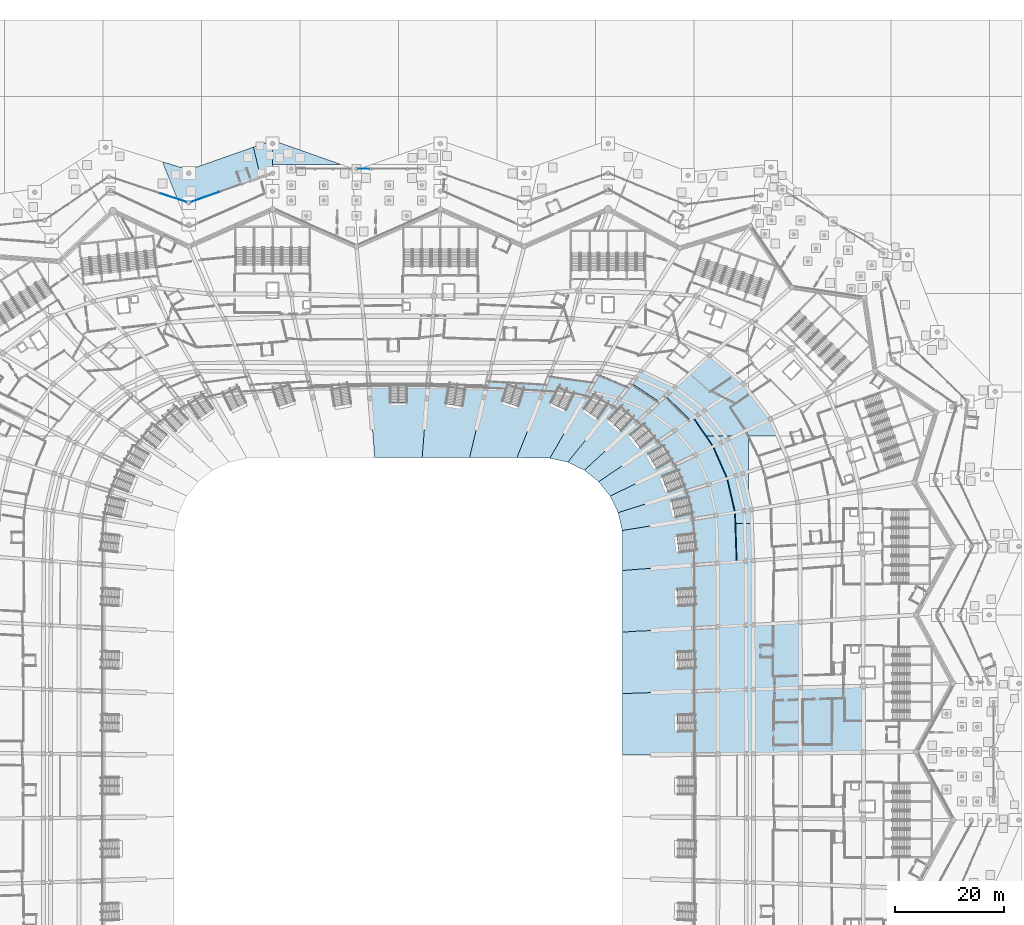
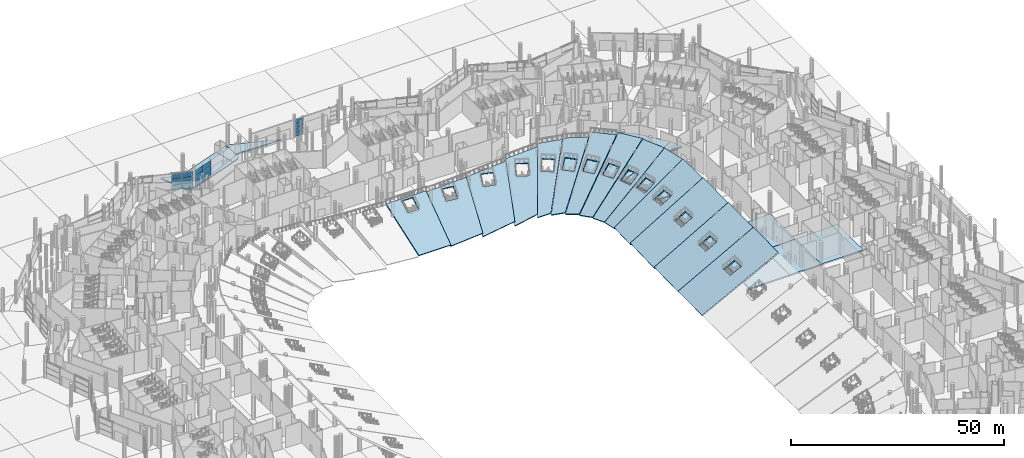
# One storey, part 92 of 255: 26 slabs, 16 plates, 3 elements without a shape of their own.
"""IFC4 building model written with IfcOpenShell, lengths in metres."""

from ifc_helpers import new_model, si_unit, direction, frame, origin, origin_2d, place, context, subcontext, project, spatial, polyline, rectangle, outline, extrude, material, layer, layer_set, type_object, element, aggregate, save


model = new_model("IFC4")

# Units and contexts
model_context = context("Model", 3, precision=1e-05, world=origin(), true_north=direction((0.0, 1.0)))
body_context = subcontext(model_context, "Body", "Model", "MODEL_VIEW")
ifc_project = project(units=[si_unit("LENGTHUNIT", "METRE"), si_unit("AREAUNIT", "SQUARE_METRE"), si_unit("VOLUMEUNIT", "CUBIC_METRE"), si_unit("PLANEANGLEUNIT", "RADIAN"), si_unit("MASSUNIT", "GRAM", prefix="KILO")], contexts=[model_context])

# Site, building, storey
site_placement = place(None, origin())
site = spatial("IfcSite", under=ifc_project, at=site_placement, CompositionType="ELEMENT")
building_placement = place(site_placement, origin())
building = spatial("IfcBuilding", under=site, at=building_placement, Name="Meseta Stadium", CompositionType="ELEMENT")
storey_placement = place(building_placement, origin())
storey = spatial("IfcBuildingStorey", under=building, at=storey_placement, Name="L00", CompositionType="ELEMENT", Elevation=0.0)

# Slabs
ifc_material_1 = material(Name="Concrete C40/50", Category="concrete")
ifc_layer_1 = layer(ifc_material_1, 0.39990234375)
ifc_layer_set_1 = layer_set([ifc_layer_1], Name="Floor slab 400")
slab_type_1 = type_object("IfcSlabType", Name="Floor slab 400", PredefinedType="FLOOR", material=ifc_layer_set_1)
slab_1_placement = place(storey_placement, frame((0.0, 0.0, -0.39990234375)))
element("IfcSlab", 1, at=slab_1_placement, inside=storey, type_object=slab_type_1, Name="Floor slab L00 sector 00 panel 03", PredefinedType="FLOOR", context=body_context, shape_type="SweptSolid", body=[
    extrude(outline(polyline([(64.8642578125, 29.42333984375), (53.98046875, 28.82666015625), (53.992919921875, 17.302490234375), (64.88720703125, 17.660888671875), (64.8642578125, 29.42333984375)])), origin(), (0.0, 0.0, 1.0), 0.39990234375),
])
slab_2_placement = place(storey_placement, frame((0.0, 0.0, -0.39990234375)))
element("IfcSlab", 2, at=slab_2_placement, inside=storey, type_object=slab_type_1, Name="Floor slab L00 sector 00 panel 05", PredefinedType="FLOOR", context=body_context, shape_type="SweptSolid", body=[
    extrude(outline(polyline([(53.992919921875, 17.302490234375), (53.999267578125, 5.767578125), (64.898681640625, 5.886962890625), (64.88720703125, 17.660888671875), (53.992919921875, 17.302490234375)])), origin(), (0.0, 0.0, 1.0), 0.39990234375),
])
slab_3_placement = place(storey_placement, frame((0.0, 0.0, -0.39990234375)))
element("IfcSlab", 3, at=slab_3_placement, inside=storey, type_object=slab_type_1, Name="Floor slab L00 sector 00 panel 10", PredefinedType="FLOOR", context=body_context, shape_type="SweptSolid", body=[
    extrude(outline(polyline([(64.88720703125, 17.660888671875), (73.482421875, 17.943603515625), (73.451416015625, 29.89404296875), (64.8642578125, 29.42333984375), (64.88720703125, 17.660888671875)])), origin(), (0.0, 0.0, 1.0), 0.39990234375),
])
slab_4_placement = place(storey_placement, frame((0.0, 0.0, -0.39990234375)))
element("IfcSlab", 4, at=slab_4_placement, inside=storey, type_object=slab_type_1, Name="Floor slab L00 sector 00 panel 12", PredefinedType="FLOOR", context=body_context, shape_type="SweptSolid", body=[
    extrude(outline(polyline([(73.482421875, 17.943603515625), (64.88720703125, 17.660888671875), (64.898681640625, 5.886962890625), (73.498046875, 5.981201171875), (73.482421875, 17.943603515625)])), origin(), (0.0, 0.0, 1.0), 0.39990234375),
])
slab_5_placement = place(storey_placement, frame((0.0, 0.0, -0.39990234375)))
element("IfcSlab", 5, at=slab_5_placement, inside=storey, type_object=slab_type_1, Name="Floor slab L00 sector 00 panel 18", PredefinedType="FLOOR", context=body_context, shape_type="SweptSolid", body=[
    extrude(outline(polyline([(84.9970703125, 6.107421875), (84.978515625, 18.24365234375), (73.482421875, 17.943603515625), (73.498046875, 5.981201171875), (84.9970703125, 6.107421875)])), origin(), (0.0, 0.0, 1.0), 0.39990234375),
])
slab_6_placement = place(storey_placement, frame((0.0, 0.0, -0.39990234375)))
element("IfcSlab", 6, at=slab_6_placement, inside=storey, type_object=slab_type_1, Name="Floor slab L00 sector 07 panel 01", PredefinedType="FLOOR", context=body_context, shape_type="SweptSolid", body=[
    extrude(outline(polyline([(50.41650390625, 58.61474609375), (54.3642578125, 60.513427734375), (51.41650390625, 64.0), (58.032958984375, 64.0), (54.819580078125, 67.901611328125), (55.940185546875, 68.658203125), (50.571533203125, 72.888916015625), (44.3994140625, 75.802001953125), (39.127685546875, 69.27001953125), (39.898193359375, 68.869384765625), (40.663818359375, 68.439208984375), (41.414306640625, 67.984619140625), (42.1494140625, 67.505859375), (42.867919921875, 67.00390625), (43.5693359375, 66.478759765625), (44.253173828125, 65.931396484375), (44.918212890625, 65.3623046875), (45.564453125, 64.77197265625), (46.190673828125, 64.1611328125), (46.79638671875, 63.5302734375), (47.38134765625, 62.880126953125), (47.944580078125, 62.211669921875), (48.0, 62.14111328125), (48.485595703125, 61.52490234375), (49.003662109375, 60.8212890625), (49.49853515625, 60.101318359375), (49.969482421875, 59.365478515625), (50.41650390625, 58.61474609375)])), origin(), (0.0, 0.0, 1.0), 0.39990234375),
])
slab_7_placement = place(storey_placement, frame((0.0, 0.0, -0.39990234375)))
element("IfcSlab", 7, at=slab_7_placement, inside=storey, type_object=slab_type_1, Name="Floor slab L00 sector 07 panel 04", PredefinedType="FLOOR", context=body_context, shape_type="SweptSolid", body=[
    extrude(outline(polyline([(51.2353515625, 57.072021484375), (51.6064453125, 56.281494140625), (51.951904296875, 55.479248046875), (52.270751953125, 54.666259765625), (52.562744140625, 53.843505859375), (52.827880859375, 53.011474609375), (53.06591796875, 52.17138671875), (53.2763671875, 51.32373046875), (53.458984375, 50.469970703125), (53.61376953125, 49.610595703125), (53.740234375, 48.74658203125), (53.824951171875, 48.0), (64.58935546875, 48.0), (64.501708984375, 50.479736328125), (64.0, 52.640380859375), (64.0, 64.0), (69.297119140625, 64.0), (67.972412109375, 67.057861328125), (61.6142578125, 64.0), (51.41650390625, 64.0), (54.3642578125, 60.513427734375), (50.41650390625, 58.61474609375), (50.83837890625, 57.85009765625), (51.2353515625, 57.072021484375)])), origin(), (0.0, 0.0, 1.0), 0.39990234375),
])
slab_8_placement = place(storey_placement, frame((0.0, 0.0, -0.39990234375)))
element("IfcSlab", 8, at=slab_8_placement, inside=storey, type_object=slab_type_1, Name="Floor slab L00 sector 07 panel 05", PredefinedType="FLOOR", context=body_context, shape_type="SweptSolid", body=[
    extrude(outline(polyline([(54.819580078125, 67.901611328125), (58.032958984375, 64.0), (61.614013671875, 64.0), (67.972412109375, 67.057861328125), (63.068115234375, 73.469970703125), (56.9150390625, 78.69580078125), (50.571533203125, 72.888916015625), (55.940185546875, 68.658203125), (54.819580078125, 67.901611328125)])), origin(), (0.0, 0.0, 1.0), 0.39990234375),
])
slab_9_placement = place(storey_placement, frame((0.0, 0.0, -0.39990234375)))
element("IfcSlab", 9, at=slab_9_placement, inside=storey, type_object=slab_type_1, Name="Floor slab L00 sector 07 panel 06", PredefinedType="FLOOR", context=body_context, shape_type="SweptSolid", body=[
    extrude(outline(polyline([(53.824951171875, 48.0), (53.838623046875, 47.87890625), (53.90869140625, 47.00830078125), (53.9501953125, 46.135986328125), (53.9619140625, 40.369873046875), (53.98046875, 28.8466796875), (64.8642578125, 29.443359375), (64.829833984375, 41.2041015625), (64.58935546875, 48.0), (53.824951171875, 48.0)])), origin(), (0.0, 0.0, 1.0), 0.39990234375),
])
ifc_material_2 = material(Name="Concrete C40/50", Category="concrete")
ifc_layer_2 = layer(ifc_material_2, 0.300048828125)
ifc_layer_set_2 = layer_set([ifc_layer_2], Name="Gate court paving 300")
slab_type_2 = type_object("IfcSlabType", Name="Gate court paving 300", PredefinedType="FLOOR", material=ifc_layer_set_2)
slab_10_placement = place(storey_placement, frame((0.0, 0.0, -0.300048828125)))
element("IfcSlab", 10, at=slab_10_placement, inside=storey, type_object=slab_type_2, Name="Gate 3 court paving", PredefinedType="FLOOR", context=body_context, shape_type="SweptSolid", body=[
    extrude(outline(polyline([(-7.666748046875, 112.60009765625), (-23.0, 118.0), (-23.0, 113.60009765625), (-10.506103515625, 113.60009765625), (-7.666748046875, 112.60009765625)])), origin(), (0.0, 0.0, 1.0), 0.300048828125),
])
ifc_material_3 = material(Name="Concrete C40/50", Category="concrete")
ifc_layer_3 = layer(ifc_material_3, 0.300048828125)
ifc_layer_set_3 = layer_set([ifc_layer_3], Name="Passage paving slab 300")
slab_type_3 = type_object("IfcSlabType", Name="Passage paving slab 300", PredefinedType="FLOOR", material=ifc_layer_set_3)
slab_11_placement = place(storey_placement, frame((0.0, 0.0, -0.300048828125)))
element("IfcSlab", 11, at=slab_11_placement, inside=storey, type_object=slab_type_3, Name="Covered passage paving 3 part 2 panel 01", PredefinedType="FLOOR", context=body_context, shape_type="SweptSolid", body=[
    extrude(outline(polyline([(-37.98388671875, 106.8017578125), (-37.95556640625, 106.733154296875), (-25.19677734375, 111.226318359375), (-26.514892578125, 116.76220703125), (-38.333251953125, 112.60009765625), (-43.118408203125, 114.085205078125), (-40.418701171875, 107.28271484375), (-38.714599609375, 106.724853515625), (-38.6826171875, 106.8017578125), (-38.61865234375, 106.88525390625), (-38.53515625, 106.949462890625), (-38.437744140625, 106.98974609375), (-38.333251953125, 107.00341796875), (-38.22900390625, 106.98974609375), (-38.131591796875, 106.949462890625), (-38.048095703125, 106.88525390625), (-37.98388671875, 106.8017578125)]), holes=[polyline([(-38.333251953125, 111.596435546875), (-38.437744140625, 111.6103515625), (-38.53515625, 111.650634765625), (-38.61865234375, 111.714599609375), (-38.6826171875, 111.79833984375), (-38.722900390625, 111.8955078125), (-38.73681640625, 112.0), (-38.722900390625, 112.1044921875), (-38.6826171875, 112.20166015625), (-38.61865234375, 112.285400390625), (-38.53515625, 112.349365234375), (-38.437744140625, 112.3896484375), (-38.333251953125, 112.403564453125), (-38.22900390625, 112.3896484375), (-38.131591796875, 112.349365234375), (-38.048095703125, 112.285400390625), (-37.98388671875, 112.20166015625), (-37.943603515625, 112.1044921875), (-37.929931640625, 112.0), (-37.943603515625, 111.8955078125), (-37.98388671875, 111.79833984375), (-38.048095703125, 111.714599609375), (-38.131591796875, 111.650634765625), (-38.22900390625, 111.6103515625), (-38.333251953125, 111.596435546875)])]), origin(), (0.0, 0.0, 1.0), 0.300048828125),
])
slab_12_placement = place(storey_placement, frame((0.0, 0.0, -0.300048828125)))
element("IfcSlab", 12, at=slab_12_placement, inside=storey, type_object=slab_type_3, Name="Covered passage paving 3 part 2 panel 02", PredefinedType="FLOOR", context=body_context, shape_type="SweptSolid", body=[
    extrude(outline(polyline([(-23.0, 117.803466796875), (-23.0, 118.0), (-26.514892578125, 116.76220703125), (-25.19677734375, 111.226318359375), (-23.377685546875, 111.866943359375), (-23.3896484375, 111.8955078125), (-23.403564453125, 112.0), (-23.3896484375, 112.1044921875), (-23.349365234375, 112.20166015625), (-23.285400390625, 112.285400390625), (-23.20166015625, 112.349365234375), (-23.1044921875, 112.3896484375), (-23.0, 112.403564453125), (-23.0, 116.99658203125), (-23.1044921875, 117.01025390625), (-23.20166015625, 117.050537109375), (-23.285400390625, 117.11474609375), (-23.349365234375, 117.1982421875), (-23.3896484375, 117.295654296875), (-23.403564453125, 117.39990234375), (-23.3896484375, 117.50439453125), (-23.349365234375, 117.601806640625), (-23.285400390625, 117.685302734375), (-23.20166015625, 117.74951171875), (-23.1044921875, 117.789794921875), (-23.0, 117.803466796875)])), origin(), (0.0, 0.0, 1.0), 0.300048828125),
])

# Curtain wall, plates
ifc_material_4 = material(Name="Aluminium", Category="aluminium")
ifc_layer_4 = layer(ifc_material_4, 0.199951171875)
ifc_layer_set_4 = layer_set([ifc_layer_4], Name="Ring shopfront curtain wall")
curtain_wall_type_1 = type_object("IfcCurtainWallType", Name="Ring shopfront curtain wall", PredefinedType="NOTDEFINED", material=ifc_layer_set_4)
curtain_wall_1_placement = place(storey_placement, origin())
curtain_wall_1 = element("IfcCurtainWall", 13, at=curtain_wall_1_placement, inside=storey, type_object=curtain_wall_type_1, Name="Shopfront glazing F20b", PredefinedType="NOTDEFINED")
ifc_material_5 = material(Name="Glass", Category="glass")
ifc_layer_5 = layer(ifc_material_5, 0.035888671875)
ifc_layer_set_5 = layer_set([ifc_layer_5], Name="Ring CW glass panel 36")
plate_type = type_object("IfcPlateType", Name="Ring CW glass panel 36", PredefinedType="CURTAIN_PANEL", material=ifc_layer_set_5)
plate_1_placement = place(storey_placement, frame((-34.059326171875, 108.105224609375, 0.150146484375), z_axis=(0.0, 0.0, 1.0), x_axis=(-0.94321953488, -0.332170000181, 0.0)))
plate_1 = element("IfcPlate", 14, at=plate_1_placement, type_object=plate_type, Name="CWR1 panel 1.1", PredefinedType="CURTAIN_PANEL", context=body_context, shape_type="SweptSolid", body=[
    extrude(rectangle(XDim=2.674072265625, YDim=0.035888671875, at=origin_2d()), origin(), (0.0, 0.0, 1.0), 1.3916015625),
])
plate_2_placement = place(storey_placement, frame((-34.059326171875, 108.105224609375, 1.69189453125), z_axis=(0.0, 0.0, 1.0), x_axis=(-0.94321953488, -0.332170000181, 0.0)))
plate_2 = element("IfcPlate", 15, at=plate_2_placement, type_object=plate_type, Name="CWR1 panel 1.2", PredefinedType="CURTAIN_PANEL", context=body_context, shape_type="SweptSolid", body=[
    extrude(rectangle(XDim=2.674072265625, YDim=0.035888671875, at=origin_2d()), origin(), (0.0, 0.0, 1.0), 1.466552734375),
])
plate_3_placement = place(storey_placement, frame((-34.059326171875, 108.105224609375, 3.308349609375), z_axis=(0.0, 0.0, 1.0), x_axis=(-0.94321953488, -0.332170000181, 0.0)))
plate_3 = element("IfcPlate", 16, at=plate_3_placement, type_object=plate_type, Name="CWR1 panel 1.3", PredefinedType="CURTAIN_PANEL", context=body_context, shape_type="SweptSolid", body=[
    extrude(rectangle(XDim=2.674072265625, YDim=0.035888671875, at=origin_2d()), origin(), (0.0, 0.0, 1.0), 1.3916015625),
])
plate_4_placement = place(storey_placement, frame((-36.63818359375, 107.197021484375, 0.150146484375), z_axis=(0.0, 0.0, 1.0), x_axis=(-0.94321953488, -0.332170000181, 0.0)))
plate_4 = element("IfcPlate", 17, at=plate_4_placement, type_object=plate_type, Name="CWR1 panel 2.1", PredefinedType="CURTAIN_PANEL", context=body_context, shape_type="SweptSolid", body=[
    extrude(rectangle(XDim=2.674072265625, YDim=0.035888671875, at=origin_2d()), origin(), (0.0, 0.0, 1.0), 1.3916015625),
])
plate_5_placement = place(storey_placement, frame((-36.63818359375, 107.197021484375, 1.69189453125), z_axis=(0.0, 0.0, 1.0), x_axis=(-0.94321953488, -0.332170000181, 0.0)))
plate_5 = element("IfcPlate", 18, at=plate_5_placement, type_object=plate_type, Name="CWR1 panel 2.2", PredefinedType="CURTAIN_PANEL", context=body_context, shape_type="SweptSolid", body=[
    extrude(rectangle(XDim=2.674072265625, YDim=0.035888671875, at=origin_2d()), origin(), (0.0, 0.0, 1.0), 1.466552734375),
])
plate_6_placement = place(storey_placement, frame((-36.63818359375, 107.197021484375, 3.308349609375), z_axis=(0.0, 0.0, 1.0), x_axis=(-0.94321953488, -0.332170000181, 0.0)))
plate_6 = element("IfcPlate", 19, at=plate_6_placement, type_object=plate_type, Name="CWR1 panel 2.3", PredefinedType="CURTAIN_PANEL", context=body_context, shape_type="SweptSolid", body=[
    extrude(rectangle(XDim=2.674072265625, YDim=0.035888671875, at=origin_2d()), origin(), (0.0, 0.0, 1.0), 1.3916015625),
])
aggregate(curtain_wall_1, [plate_1, plate_2, plate_3, plate_4, plate_5, plate_6])

curtain_wall_2_placement = place(storey_placement, origin())
curtain_wall_2 = element("IfcCurtainWall", 20, at=curtain_wall_2_placement, inside=storey, type_object=curtain_wall_type_1, Name="Shopfront glazing F21a", PredefinedType="NOTDEFINED")
plate_7_placement = place(storey_placement, frame((-39.9326171875, 107.12353515625, 0.150146484375), z_axis=(0.0, 0.0, 1.0), x_axis=(-0.950390663961, 0.311058814141, 0.0)))
plate_7 = element("IfcPlate", 21, at=plate_7_placement, type_object=plate_type, Name="CWR1 panel 1.1", PredefinedType="CURTAIN_PANEL", context=body_context, shape_type="SweptSolid", body=[
    extrude(rectangle(XDim=2.44580078125, YDim=0.035888671875, at=origin_2d()), origin(), (0.0, 0.0, 1.0), 1.3916015625),
])
plate_8_placement = place(storey_placement, frame((-39.9326171875, 107.12353515625, 1.69189453125), z_axis=(0.0, 0.0, 1.0), x_axis=(-0.950390663961, 0.311058814141, 0.0)))
plate_8 = element("IfcPlate", 22, at=plate_8_placement, type_object=plate_type, Name="CWR1 panel 1.2", PredefinedType="CURTAIN_PANEL", context=body_context, shape_type="SweptSolid", body=[
    extrude(rectangle(XDim=2.44580078125, YDim=0.035888671875, at=origin_2d()), origin(), (0.0, 0.0, 1.0), 1.466552734375),
])
plate_9_placement = place(storey_placement, frame((-39.9326171875, 107.12353515625, 3.308349609375), z_axis=(0.0, 0.0, 1.0), x_axis=(-0.950390663961, 0.311058814141, 0.0)))
plate_9 = element("IfcPlate", 23, at=plate_9_placement, type_object=plate_type, Name="CWR1 panel 1.3", PredefinedType="CURTAIN_PANEL", context=body_context, shape_type="SweptSolid", body=[
    extrude(rectangle(XDim=2.44580078125, YDim=0.035888671875, at=origin_2d()), origin(), (0.0, 0.0, 1.0), 1.3916015625),
])
plate_10_placement = place(storey_placement, frame((-42.314208984375, 107.90283203125, 0.150146484375), z_axis=(0.0, 0.0, 1.0), x_axis=(-0.950390663961, 0.311058814141, 0.0)))
plate_10 = element("IfcPlate", 24, at=plate_10_placement, type_object=plate_type, Name="CWR1 panel 2.1", PredefinedType="CURTAIN_PANEL", context=body_context, shape_type="SweptSolid", body=[
    extrude(rectangle(XDim=2.44580078125, YDim=0.035888671875, at=origin_2d()), origin(), (0.0, 0.0, 1.0), 1.3916015625),
])
plate_11_placement = place(storey_placement, frame((-42.314208984375, 107.90283203125, 1.69189453125), z_axis=(0.0, 0.0, 1.0), x_axis=(-0.950390663961, 0.311058814141, 0.0)))
plate_11 = element("IfcPlate", 25, at=plate_11_placement, type_object=plate_type, Name="CWR1 panel 2.2", PredefinedType="CURTAIN_PANEL", context=body_context, shape_type="SweptSolid", body=[
    extrude(rectangle(XDim=2.44580078125, YDim=0.035888671875, at=origin_2d()), origin(), (0.0, 0.0, 1.0), 1.466552734375),
])
plate_12_placement = place(storey_placement, frame((-42.314208984375, 107.90283203125, 3.308349609375), z_axis=(0.0, 0.0, 1.0), x_axis=(-0.950390663961, 0.311058814141, 0.0)))
plate_12 = element("IfcPlate", 26, at=plate_12_placement, type_object=plate_type, Name="CWR1 panel 2.3", PredefinedType="CURTAIN_PANEL", context=body_context, shape_type="SweptSolid", body=[
    extrude(rectangle(XDim=2.44580078125, YDim=0.035888671875, at=origin_2d()), origin(), (0.0, 0.0, 1.0), 1.3916015625),
])
aggregate(curtain_wall_2, [plate_7, plate_8, plate_9, plate_10, plate_11, plate_12])

ifc_material_6 = material(Name="Aluminium", Category="aluminium")
ifc_layer_6 = layer(ifc_material_6, 0.199951171875)
ifc_layer_set_6 = layer_set([ifc_layer_6], Name="Gate hall curtain wall")
curtain_wall_type_2 = type_object("IfcCurtainWallType", Name="Gate hall curtain wall", PredefinedType="NOTDEFINED", material=ifc_layer_set_6)
curtain_wall_3_placement = place(storey_placement, origin())
curtain_wall_3 = element("IfcCurtainWall", 27, at=curtain_wall_3_placement, inside=storey, type_object=curtain_wall_type_2, Name="Gate 3 glazing", PredefinedType="NOTDEFINED")
plate_13_placement = place(storey_placement, frame((-6.333251953125, 112.800048828125, 0.14990234375), z_axis=(0.0, 0.0, 1.0), x_axis=(-1.0, 0.0, 0.0)))
plate_13 = element("IfcPlate", 28, at=plate_13_placement, type_object=plate_type, Name="CWG1 panel 1.1", PredefinedType="CURTAIN_PANEL", context=body_context, shape_type="SweptSolid", body=[
    extrude(rectangle(XDim=1.94677734375, YDim=0.035888671875, at=origin_2d()), origin(), (0.0, 0.0, 1.0), 1.03759765625),
])
plate_14_placement = place(storey_placement, frame((-6.333251953125, 112.800048828125, 1.33740234375), z_axis=(0.0, 0.0, 1.0), x_axis=(-1.0, 0.0, 0.0)))
plate_14 = element("IfcPlate", 29, at=plate_14_placement, type_object=plate_type, Name="CWG1 panel 1.2", PredefinedType="CURTAIN_PANEL", context=body_context, shape_type="SweptSolid", body=[
    extrude(rectangle(XDim=1.94677734375, YDim=0.035888671875, at=origin_2d()), origin(), (0.0, 0.0, 1.0), 1.112548828125),
])
plate_15_placement = place(storey_placement, frame((-6.333251953125, 112.800048828125, 2.60009765625), z_axis=(0.0, 0.0, 1.0), x_axis=(-1.0, 0.0, 0.0)))
plate_15 = element("IfcPlate", 30, at=plate_15_placement, type_object=plate_type, Name="CWG1 panel 1.3", PredefinedType="CURTAIN_PANEL", context=body_context, shape_type="SweptSolid", body=[
    extrude(rectangle(XDim=1.94677734375, YDim=0.035888671875, at=origin_2d()), origin(), (0.0, 0.0, 1.0), 1.112548828125),
])
plate_16_placement = place(storey_placement, frame((-6.333251953125, 112.800048828125, 3.862548828125), z_axis=(0.0, 0.0, 1.0), x_axis=(-1.0, 0.0, 0.0)))
plate_16 = element("IfcPlate", 31, at=plate_16_placement, type_object=plate_type, Name="CWG1 panel 1.4", PredefinedType="CURTAIN_PANEL", context=body_context, shape_type="SweptSolid", body=[
    extrude(rectangle(XDim=1.94677734375, YDim=0.035888671875, at=origin_2d()), origin(), (0.0, 0.0, 1.0), 1.03759765625),
])
aggregate(curtain_wall_3, [plate_13, plate_14, plate_15, plate_16])

# Slabs
ifc_material_7 = material(Name="Concrete C40/50", Category="concrete")
ifc_layer_7 = layer(ifc_material_7, 0.35009765625)
ifc_layer_set_7 = layer_set([ifc_layer_7], Name="Seating tier 350")
slab_type_4 = type_object("IfcSlabType", Name="Seating tier 350", PredefinedType="USERDEFINED", material=ifc_layer_set_7)
slab_13_placement = place(storey_placement, frame((41.0, 5.625, -3.06298828125), z_axis=(-0.45421956364, -0.009970640844, 0.89083397686), x_axis=(0.890791534692, 0.00976629322, 0.454307232209)))
element("IfcSlab", 32, at=slab_13_placement, inside=storey, type_object=slab_type_4, Name="Stand lower tier bay 06", ObjectType="SEATING TIER", PredefinedType="USERDEFINED", context=body_context, shape_type="SweptSolid", body=[
    extrude(outline(polyline([(0.0, 0.0), (23.348458001672338, -6.938893903907228e-18), (23.511313307201256, 11.705359634268083), (0.16710286215639603, 11.24946428612443), (0.0, 0.0)]), holes=[polyline([(11.4345703125, 4.2353515625), (14.802001953125, 4.2685546875), (14.77294921875, 7.268310546875), (11.405517578125, 7.2353515625), (11.4345703125, 4.2353515625)])]), origin(), (0.0, 0.0, -1.0), 0.35009765625),
])
slab_14_placement = place(storey_placement, frame((41.0, 16.875, -3.125732421875), z_axis=(-0.453891014423, -0.019912039152, 0.890834697193), x_axis=(0.890364160483, 0.029288085177, 0.454305920932)))
element("IfcSlab", 33, at=slab_14_placement, inside=storey, type_object=slab_type_4, Name="Stand lower tier bay 07", ObjectType="SEATING TIER", PredefinedType="USERDEFINED", context=body_context, shape_type="SweptSolid", body=[
    extrude(outline(polyline([(0.0, 0.0), (23.348661672004773, -2.0816681711721685e-16), (23.787487059606125, 11.689305300561832), (0.44332884426037567, 11.234053224288441), (0.0, 0.0)]), holes=[polyline([(11.572998046875, 4.232666015625), (14.9404296875, 4.265625), (14.9111328125, 7.265380859375), (11.543701171875, 7.232421875), (11.572998046875, 4.232666015625)])]), origin(), (0.0, 0.0, -1.0), 0.35009765625),
])
slab_15_placement = place(storey_placement, frame((41.0, 28.135009765625, -3.18798828125), z_axis=(-0.453343607157, -0.029826871024, 0.890836646987), x_axis=(0.889511737493, 0.04876842194, 0.454302223066)))
element("IfcSlab", 34, at=slab_15_placement, inside=storey, type_object=slab_type_4, Name="Stand lower tier bay 08", ObjectType="SEATING TIER", PredefinedType="USERDEFINED", context=body_context, shape_type="SweptSolid", body=[
    extrude(outline(polyline([(0.0, 0.0), (23.348485986893174, 6.938893903907228e-17), (24.063275333773365, 11.677355565262006), (0.7190744881472957, 11.223272889682608), (0.0, 0.0)]), holes=[polyline([(11.710205078125, 4.217041015625), (15.077880859375, 4.249755859375), (15.048583984375, 7.249755859375), (11.680908203125, 7.216796875), (11.710205078125, 4.217041015625)])]), origin(), (0.0, 0.0, -1.0), 0.35009765625),
])
slab_16_placement = place(storey_placement, frame((41.0, 39.375, -3.19580078125), z_axis=(-0.451153505285, -0.053602533381, 0.890835160445), x_axis=(0.888381699053, 0.06818648166, 0.454013832947)))
element("IfcSlab", 35, at=slab_16_placement, inside=storey, type_object=slab_type_4, Name="Stand lower tier bay 09", ObjectType="SEATING TIER", PredefinedType="USERDEFINED", context=body_context, shape_type="SweptSolid", body=[
    extrude(outline(polyline([(0.0, 0.0), (23.344625138120243, -3.0531133177191805e-16), (23.87307687012094, 9.017978769192602), (0.592137255125688, 7.291536111855386), (0.0, 0.0)]), holes=[polyline([(11.89599609375, 2.57421875), (15.26123046875, 2.69921875), (15.150146484375, 5.697265625), (11.78466796875, 5.572265625), (11.89599609375, 2.57421875)])]), origin(), (0.0, 0.0, -1.0), 0.35009765625),
])
slab_17_placement = place(storey_placement, frame((40.90576171875, 46.679443359375, -3.00634765625), z_axis=(-0.442175663497, -0.104379424848, 0.890834226037), x_axis=(0.879972188529, 0.141725889887, 0.453390250833)))
element("IfcSlab", 36, at=slab_17_placement, inside=storey, type_object=slab_type_4, Name="Stand lower tier bay 10", ObjectType="SEATING TIER", PredefinedType="USERDEFINED", context=body_context, shape_type="SweptSolid", body=[
    extrude(outline(polyline([(0.0, 0.0), (23.336447269208545, 5.551115123125783e-17), (22.956271429996466, 6.34309226121689), (-0.1879709929621686, 3.3536634106833003), (0.0, 0.0)]), holes=[polyline([(11.287109375, 0.90576171875), (14.64794921875, 1.121826171875), (14.455322265625, 4.115966796875), (11.094482421875, 3.899658203125), (11.287109375, 0.90576171875)])]), origin(), (0.0, 0.0, -1.0), 0.35009765625),
])
slab_18_placement = place(storey_placement, frame((40.158203125, 49.9541015625, -2.9375), z_axis=(-0.422641018675, -0.166701135979, 0.890834047731), x_axis=(0.850484526748, 0.266658542421, 0.453397498357)))
element("IfcSlab", 37, at=slab_18_placement, inside=storey, type_object=slab_type_4, Name="Stand lower tier bay 11", ObjectType="SEATING TIER", PredefinedType="USERDEFINED", context=body_context, shape_type="SweptSolid", body=[
    extrude(outline(polyline([(0.0, 0.0), (23.336619475349053, 3.3306690738754696e-16), (22.65404535629635, 6.32106455135219), (-0.48905819518367755, 3.325507028528862), (0.0, 0.0)]), holes=[polyline([(11.13623046875, 0.89306640625), (14.496826171875, 1.1083984375), (14.304931640625, 4.102294921875), (10.9443359375, 3.886962890625), (11.13623046875, 0.89306640625)])]), origin(), (0.0, 0.0, -1.0), 0.35009765625),
])
slab_19_placement = place(storey_placement, frame((38.700927734375, 52.98046875, -2.869384765625), z_axis=(-0.394242900943, -0.225801935585, 0.89083445204), x_axis=(0.803245238357, 0.38630121347, 0.453396580851)))
element("IfcSlab", 38, at=slab_19_placement, inside=storey, type_object=slab_type_4, Name="Stand lower tier bay 12", ObjectType="SEATING TIER", PredefinedType="USERDEFINED", context=body_context, shape_type="SweptSolid", body=[
    extrude(outline(polyline([(0.0, 0.0), (23.33638659281297, -1.6653345369377348e-16), (22.35372716186928, 6.293861752054063), (-0.7861156842872723, 3.2761460044474635), (0.0, 0.0)]), holes=[polyline([(11.0986328125, 0.881103515625), (14.45947265625, 1.096923828125), (14.26708984375, 4.090576171875), (10.90625, 3.875), (11.0986328125, 0.881103515625)])]), origin(), (0.0, 0.0, -1.0), 0.35009765625),
])
slab_20_placement = place(storey_placement, frame((36.606689453125, 55.606689453125, -2.8037109375), z_axis=(-0.357150967709, -0.280812233792, 0.890835380762), x_axis=(0.738745039044, 0.498702395316, 0.45337808526)))
element("IfcSlab", 39, at=slab_20_placement, inside=storey, type_object=slab_type_4, Name="Stand lower tier bay 13", ObjectType="SEATING TIER", PredefinedType="USERDEFINED", context=body_context, shape_type="SweptSolid", body=[
    extrude(outline(polyline([(0.0, 0.0), (22.43868677198748, -3.885780586188048e-15), (21.170467404708283, 6.147217731917814), (-1.0736921872736087, 3.206894418244401), (0.0, 0.0)]), holes=[polyline([(11.065673828125, 0.86376953125), (14.426513671875, 1.080810546875), (14.232666015625, 4.07470703125), (10.872314453125, 3.857421875), (11.065673828125, 0.86376953125)])]), origin(), (0.0, 0.0, -1.0), 0.35009765625),
])
slab_21_placement = place(storey_placement, frame((33.98046875, 57.700927734375, -2.740966796875), z_axis=(-0.311713812107, -0.330528440773, 0.890834131128), x_axis=(0.65745567111, 0.601846993911, 0.453356632736)))
element("IfcSlab", 40, at=slab_21_placement, inside=storey, type_object=slab_type_4, Name="Stand lower tier bay 14", ObjectType="SEATING TIER", PredefinedType="USERDEFINED", context=body_context, shape_type="SweptSolid", body=[
    extrude(outline(polyline([(0.0, 0.0), (20.643306407497345, 0.0), (19.111844293125777, 5.870829590966607), (-1.3435561067741895, 3.110771819460034), (0.0, 0.0)]), holes=[polyline([(11.03955078125, 0.843505859375), (14.400146484375, 1.063720703125), (14.203857421875, 4.05712890625), (10.84326171875, 3.8369140625), (11.03955078125, 0.843505859375)])]), origin(), (0.0, 0.0, -1.0), 0.35009765625),
])
slab_22_placement = place(storey_placement, frame((30.944580078125, 59.160400390625, -2.6845703125), z_axis=(-0.25802172586, -0.373953437152, 0.890833102117), x_axis=(0.559765936326, 0.693661753357, 0.45331608008)))
element("IfcSlab", 41, at=slab_22_placement, inside=storey, type_object=slab_type_4, Name="Stand lower tier bay 15", ObjectType="SEATING TIER", PredefinedType="USERDEFINED", context=body_context, shape_type="SweptSolid", body=[
    extrude(outline(polyline([(0.0, 0.0), (19.747030336705038, -1.1657341758564144e-15), (17.95854788499626, 5.727125076285558), (-1.5975477487779866, 3.0108095509157433), (0.0, 0.0)]), holes=[polyline([(10.91552734375, 0.806884765625), (14.275634765625, 1.031494140625), (14.0751953125, 4.02490234375), (10.715087890625, 3.800048828125), (10.91552734375, 0.806884765625)])]), origin(), (0.0, 0.0, -1.0), 0.35009765625),
])
slab_23_placement = place(storey_placement, frame((27.679443359375, 59.90576171875, -2.35009765625), z_axis=(-0.198981346386, -0.408437822455, 0.890833861603), x_axis=(0.446041887283, 0.771655098014, 0.453425897471)))
element("IfcSlab", 42, at=slab_23_placement, inside=storey, type_object=slab_type_4, Name="Stand lower tier bay 16", ObjectType="SEATING TIER", PredefinedType="USERDEFINED", context=body_context, shape_type="SweptSolid", body=[
    extrude(outline(polyline([(0.0, 0.0), (17.951414503208895, -3.885780586188048e-16), (14.599016820204229, 7.589965806768303), (-3.1985596216575116, 5.255482313429839), (0.0, 0.0)]), holes=[polyline([(10.225341796875, 1.896728515625), (13.586181640625, 2.10888671875), (13.397216796875, 5.10302734375), (10.036376953125, 4.890869140625), (10.225341796875, 1.896728515625)])]), origin(), (0.0, 0.0, -1.0), 0.35009765625),
])
slab_24_placement = place(storey_placement, frame((21.666748046875, 60.0, -2.331298828125), z_axis=(-0.137451418918, -0.433035703095, 0.890835106674), x_axis=(0.328741495717, 0.828448930198, 0.45343290468)))
element("IfcSlab", 43, at=slab_24_placement, inside=storey, type_object=slab_type_4, Name="Stand lower tier bay 17", ObjectType="SEATING TIER", PredefinedType="USERDEFINED", context=body_context, shape_type="SweptSolid", body=[
    extrude(outline(polyline([(0.0, 0.0), (16.156338653896373, -2.220446049250313e-16), (12.56708193897057, 10.127599094896123), (-3.4555419453858436, 8.059801274151383), (0.0, 0.0)]), holes=[polyline([(9.986328125, 3.279541015625), (13.347412109375, 3.490478515625), (13.159423828125, 6.484619140625), (9.79833984375, 6.2734375), (9.986328125, 3.279541015625)])]), origin(), (0.0, 0.0, -1.0), 0.35009765625),
])
slab_25_placement = place(storey_placement, frame((13.0, 60.0, -2.653564453125), z_axis=(-0.071216565093, -0.448708363617, 0.890836127061), x_axis=(0.206450543872, 0.867133705888, 0.453273988938)))
element("IfcSlab", 44, at=slab_25_placement, inside=storey, type_object=slab_type_4, Name="Stand lower tier bay 18", ObjectType="SEATING TIER", PredefinedType="USERDEFINED", context=body_context, shape_type="SweptSolid", body=[
    extrude(outline(polyline([(0.0, 0.0), (15.257412074576179, 8.049116928532385e-16), (13.009162382731796, 10.530761946388349), (-2.1033152923663656, 8.436151779165586), (0.0, 0.0)]), holes=[polyline([(9.992431640625, 3.47607421875), (13.352294921875, 3.704833984375), (13.148193359375, 6.6982421875), (9.78857421875, 6.46923828125), (9.992431640625, 3.47607421875)])]), origin(), (0.0, 0.0, -1.0), 0.35009765625),
])
slab_26_placement = place(storey_placement, frame((4.333251953125, 60.0, -3.0), z_axis=(0.0, -0.45432850165, 0.890834222843), x_axis=(0.070521545079, 0.888616274063, 0.453197340184)))
element("IfcSlab", 45, at=slab_26_placement, inside=storey, type_object=slab_type_4, Name="Stand lower tier bay 19", ObjectType="SEATING TIER", PredefinedType="USERDEFINED", context=body_context, shape_type="SweptSolid", body=[
    extrude(outline(polyline([(0.0, 0.0), (15.256723787967093, -2.7755575615628914e-16), (14.493796369619353, 10.791424434289649), (-0.6111752459042263, 8.644926533860218), (0.0, 0.0)]), holes=[polyline([(11.07421875, 3.623291015625), (14.433349609375, 3.86083984375), (14.221923828125, 6.853271484375), (10.86279296875, 6.61572265625), (11.07421875, 3.623291015625)])]), origin(), (0.0, 0.0, -1.0), 0.35009765625),
])

save(model, "model.ifc")
